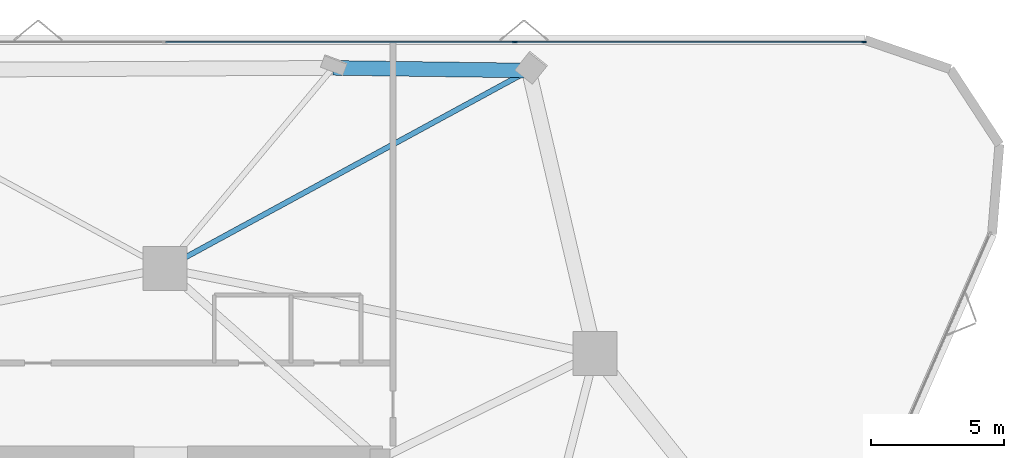
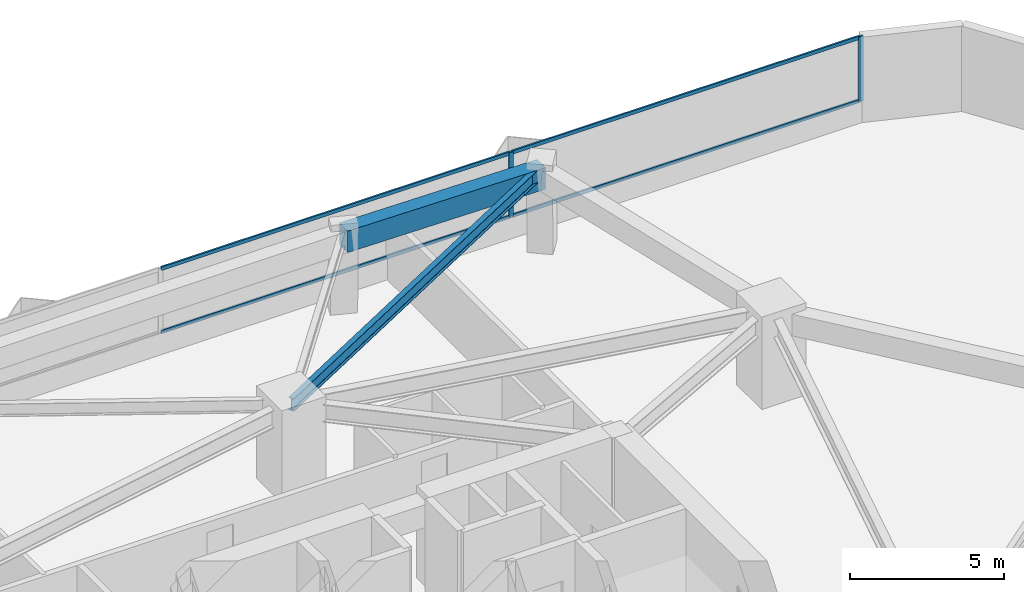
# One storey, part 11 of 18: 6 members, 2 beams, 1 element without a shape of its own.
"""IFC4 building model written with IfcOpenShell, lengths in metres."""

from ifc_helpers import new_model, si_unit, direction, frame, origin, origin_2d, place, context, subcontext, project, spatial, rectangle, i_section, extrude, material, layer, layer_set, material_profile, profile_set, type_object, element, aggregate, save


model = new_model("IFC4")

# Units and contexts
model_context = context("Model", 3, precision=1e-05, world=origin(), true_north=direction((0.0, 1.0)))
body_context = subcontext(model_context, "Body", "Model", "MODEL_VIEW")
ifc_project = project(units=[si_unit("LENGTHUNIT", "METRE"), si_unit("AREAUNIT", "SQUARE_METRE"), si_unit("VOLUMEUNIT", "CUBIC_METRE"), si_unit("PLANEANGLEUNIT", "RADIAN"), si_unit("MASSUNIT", "GRAM", prefix="KILO")], contexts=[model_context])

# Site, building, storey
site_placement = place(None, origin())
site = spatial("IfcSite", under=ifc_project, at=site_placement, CompositionType="ELEMENT")
building_placement = place(site_placement, origin())
building = spatial("IfcBuilding", under=site, at=building_placement, Name="Talyreon Biosciences Tower", CompositionType="ELEMENT")
storey_placement = place(building_placement, frame((0.0, 0.0, 89.60009765625)))
storey = spatial("IfcBuildingStorey", under=building, at=storey_placement, Name="L23", CompositionType="ELEMENT", Elevation=89.60009765625)

# Curtain wall, members
ifc_material_1 = material(Name="Thermally broken aluminium and low-E glazing", Category="aluminium")
ifc_layer = layer(ifc_material_1, 0.18994140625)
ifc_layer_set = layer_set([ifc_layer], Name="Thermally broken aluminium and low-E glazing")
curtain_wall_type = type_object("IfcCurtainWallType", Name="CurtainWall_Zone2Genomics", PredefinedType="NOTDEFINED", material=ifc_layer_set)
curtain_wall_placement = place(storey_placement, origin())
curtain_wall = element("IfcCurtainWall", 1, at=curtain_wall_placement, inside=storey, type_object=curtain_wall_type, Name="L23 Unitised Curtain Wall FCW-L23-04", PredefinedType="NOTDEFINED")
ifc_material_2 = material(Name="Anodised thermally broken aluminium", Category="aluminium")
ifc_material_profile_1 = material_profile(ifc_material_2, rectangle(XDim=0.06494140625, YDim=0.179931640625, at=origin_2d()), Name="ALUM MULLION 65x180")
ifc_profile_set_1 = profile_set([ifc_material_profile_1], Name="Anodised thermally broken aluminium")
member_type_1 = type_object("IfcMemberType", Name="CWMullion_65x180", PredefinedType="MULLION", material=ifc_profile_set_1)
member_1_placement = place(storey_placement, frame((79.109619140625, 90.2734375, 0.809814453125), z_axis=(0.0, 0.0, 1.0), x_axis=(0.0, 1.0, 0.0)))
member_1 = element("IfcMember", 2, at=member_1_placement, type_object=member_type_1, Name="CW3 mullion 4", PredefinedType="MULLION", context=body_context, shape_type="SweptSolid", body=[
    extrude(rectangle(XDim=0.06494140625, YDim=0.179931640625, at=origin_2d()), origin(), (0.0, 0.0, 1.0), 2.565185546875),
])
member_2_placement = place(storey_placement, frame((92.186767578125, 90.2734375, 0.809814453125), z_axis=(0.0, 0.0, 1.0), x_axis=(0.0, 1.0, 0.0)))
member_2 = element("IfcMember", 3, at=member_2_placement, type_object=member_type_1, Name="CW3 mullion 5", PredefinedType="MULLION", context=body_context, shape_type="SweptSolid", body=[
    extrude(rectangle(XDim=0.06494140625, YDim=0.179931640625, at=origin_2d()), origin(), (0.0, 0.0, 1.0), 2.565185546875),
])
ifc_material_profile_2 = material_profile(ifc_material_2, rectangle(XDim=0.06494140625, YDim=0.139892578125, at=origin_2d()), Name="ALUM TRANSOM 65x140")
ifc_profile_set_2 = profile_set([ifc_material_profile_2], Name="Anodised thermally broken aluminium")
member_type_2 = type_object("IfcMemberType", Name="CWTransom_65x140", PredefinedType="USERDEFINED", material=ifc_profile_set_2)
member_3_placement = place(storey_placement, frame((66.032470703125, 90.2734375, 0.84228515625), z_axis=(1.0, 0.0, 0.0), x_axis=(0.0, 1.0, 0.0)))
member_3 = element("IfcMember", 4, at=member_3_placement, type_object=member_type_2, Name="CW3 transom 3.1", ObjectType="TRANSOM", PredefinedType="USERDEFINED", context=body_context, shape_type="SweptSolid", body=[
    extrude(rectangle(XDim=0.06494140625, YDim=0.139892578125, at=origin_2d()), origin(), (0.0, 0.0, 1.0), 13.044677734375),
])
member_4_placement = place(storey_placement, frame((66.032470703125, 90.2734375, 3.34228515625), z_axis=(1.0, 0.0, 0.0), x_axis=(0.0, 1.0, 0.0)))
member_4 = element("IfcMember", 5, at=member_4_placement, type_object=member_type_2, Name="CW3 transom 3.2", ObjectType="TRANSOM", PredefinedType="USERDEFINED", context=body_context, shape_type="SweptSolid", body=[
    extrude(rectangle(XDim=0.06494140625, YDim=0.139892578125, at=origin_2d()), origin(), (0.0, 0.0, 1.0), 13.044677734375),
])
member_5_placement = place(storey_placement, frame((79.14208984375, 90.2734375, 0.84228515625), z_axis=(1.0, 0.0, 0.0), x_axis=(0.0, 1.0, 0.0)))
member_5 = element("IfcMember", 6, at=member_5_placement, type_object=member_type_2, Name="CW3 transom 4.1", ObjectType="TRANSOM", PredefinedType="USERDEFINED", context=body_context, shape_type="SweptSolid", body=[
    extrude(rectangle(XDim=0.06494140625, YDim=0.139892578125, at=origin_2d()), origin(), (0.0, 0.0, 1.0), 13.01220703125),
])
member_6_placement = place(storey_placement, frame((79.14208984375, 90.2734375, 3.34228515625), z_axis=(1.0, 0.0, 0.0), x_axis=(0.0, 1.0, 0.0)))
member_6 = element("IfcMember", 7, at=member_6_placement, type_object=member_type_2, Name="CW3 transom 4.2", ObjectType="TRANSOM", PredefinedType="USERDEFINED", context=body_context, shape_type="SweptSolid", body=[
    extrude(rectangle(XDim=0.06494140625, YDim=0.139892578125, at=origin_2d()), origin(), (0.0, 0.0, 1.0), 13.01220703125),
])
aggregate(curtain_wall, [member_1, member_2, member_3, member_4, member_5, member_6])

# Beams
ifc_material_3 = material(Name="Precast concrete C45/55", Category="concrete")
ifc_material_profile_3 = material_profile(ifc_material_3, rectangle(XDim=0.550048828125, YDim=0.85009765625, at=origin_2d()), Name="RCB 550x850")
ifc_profile_set_3 = profile_set([ifc_material_profile_3], Name="Precast concrete C45/55")
beam_type_1 = type_object("IfcBeamType", Name="ExpressedSpandrel_550x850", PredefinedType="SPANDREL", material=ifc_profile_set_3)
beam_1_placement = place(storey_placement, frame((79.634033203125, 89.20361328125, 2.949951171875), z_axis=(-0.999907517273, 0.013599886088, 0.0), x_axis=(-0.013599886088, -0.999907517273, 0.0)))
element("IfcBeam", 8, at=beam_1_placement, inside=storey, type_object=beam_type_1, Name="L23 Expressed Horizontal Concrete Spandrel 06", PredefinedType="SPANDREL", context=body_context, shape_type="SweptSolid", body=[
    extrude(rectangle(XDim=0.550048828125, YDim=0.85009765625, at=origin_2d()), origin(), (0.0, 0.0, 1.0), 7.34228515625),
])
ifc_material_4 = material(Name="Steel SM355", Category="steel")
ifc_material_profile_4 = material_profile(ifc_material_4, i_section(OverallWidth=0.199951171875, OverallDepth=0.5, WebThickness=0.01025390625, FlangeThickness=0.01611328125, FilletRadius=0.02099609375, at=origin_2d()), Name="IPE500")
ifc_profile_set_4 = profile_set([ifc_material_profile_4], Name="Steel SM355")
beam_type_2 = type_object("IfcBeamType", Name="SteelJoist_IPE500", PredefinedType="JOIST", material=ifc_profile_set_4)
beam_2_placement = place(storey_placement, frame((66.0, 81.788818359375, 3.125), z_axis=(0.878489462302, 0.477761723692, 0.0), x_axis=(-0.477761723692, 0.878489462302, 0.0)))
element("IfcBeam", 9, at=beam_2_placement, inside=storey, type_object=beam_type_2, Name="L23 Radial Composite Floor Joist PC-N1", PredefinedType="JOIST", context=body_context, shape_type="SweptSolid", body=[
    extrude(i_section(OverallWidth=0.199951171875, OverallDepth=0.5, WebThickness=0.01025390625, FlangeThickness=0.01611328125, FilletRadius=0.02099609375, at=origin_2d()), origin(), (0.0, 0.0, 1.0), 15.519775390625),
])

save(model, "model.ifc")
